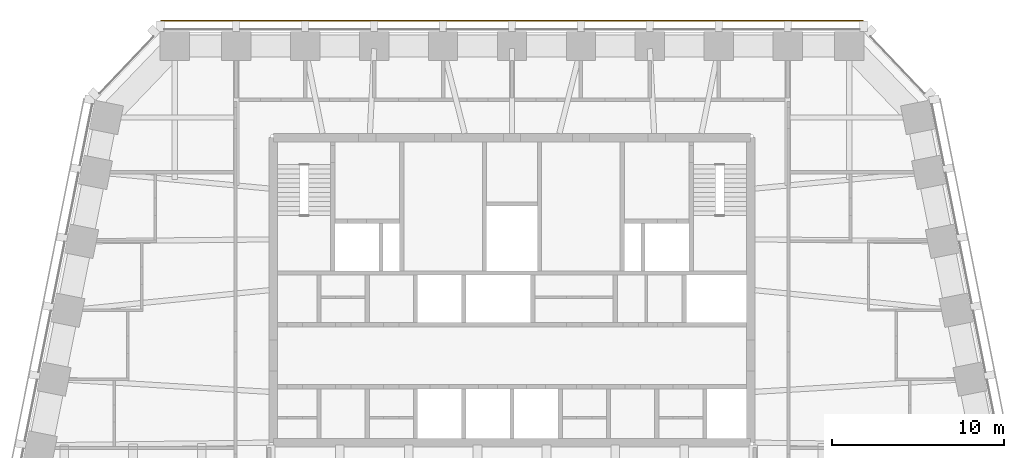
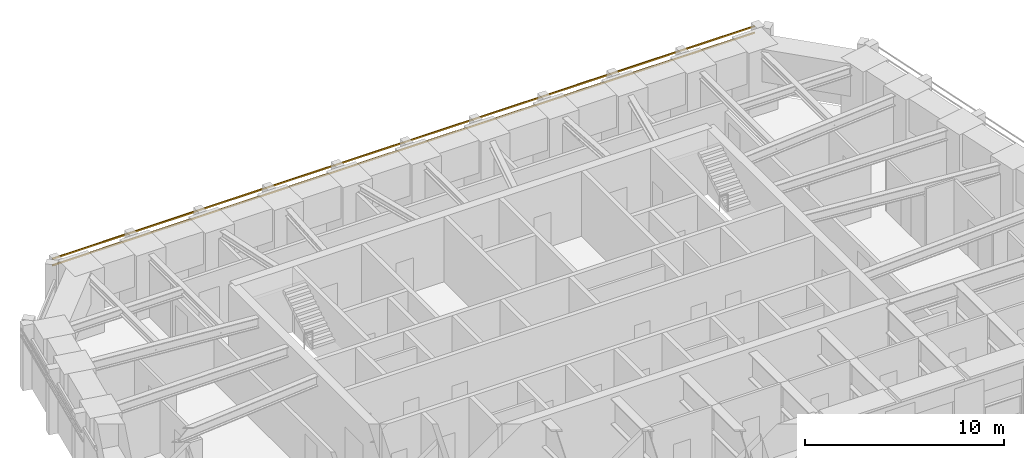
# One storey, part 12 of 12: 2 shading devices.
"""IFC4 building model written with IfcOpenShell, lengths in metres."""

from ifc_helpers import new_model, si_unit, direction, frame, origin, origin_2d, place, context, subcontext, project, spatial, rectangle, extrude, material, material_profile, profile_set, type_object, element, save


model = new_model("IFC4")

# Units and contexts
model_context = context("Model", 3, precision=1e-05, world=origin(), true_north=direction((0.0, 1.0)))
body_context = subcontext(model_context, "Body", "Model", "MODEL_VIEW")
ifc_project = project(units=[si_unit("LENGTHUNIT", "METRE"), si_unit("AREAUNIT", "SQUARE_METRE"), si_unit("VOLUMEUNIT", "CUBIC_METRE"), si_unit("PLANEANGLEUNIT", "RADIAN"), si_unit("MASSUNIT", "GRAM", prefix="KILO")], contexts=[model_context])

# Site, building, storey
site_placement = place(None, origin())
site = spatial("IfcSite", under=ifc_project, at=site_placement, CompositionType="ELEMENT")
building_placement = place(site_placement, origin())
building = spatial("IfcBuilding", under=site, at=building_placement, Name="Isbrekke Arena Tower", CompositionType="ELEMENT")
storey_placement = place(building_placement, frame((0.0, 0.0, 304.0)))
storey = spatial("IfcBuildingStorey", under=building, at=storey_placement, Name="L71", CompositionType="ELEMENT", Elevation=304.0)

# Shading devices
ifc_material = material(Name="Terracotta", Category="masonry")
ifc_material_profile = material_profile(ifc_material, rectangle(XDim=0.06005859375, YDim=0.06005859375, at=origin_2d()), Name="BAGUETTE 60X60")
ifc_profile_set = profile_set([ifc_material_profile], Name="Terracotta")
shading_device_type = type_object("IfcShadingDeviceType", Name="BG1 TERRACOTTA BAGUETTE 60 x 60", PredefinedType="USERDEFINED", material=ifc_profile_set)
for number, where, z_axis, x_axis, name in (
    (1, (20.39990234375, 30.655029296875, 3.280029296875), (-1.0, 0.0, 0.0), (0.0, -1.0, 0.0), "BG1 terracotta baguette N1 L71"),
    (2, (20.39990234375, 30.655029296875, 3.679931640625), (-1.0, 0.0, 0.0), (0.0, -1.0, 0.0), "BG1 terracotta baguette N2 L71"),
):
    element("IfcShadingDevice", number, at=place(storey_placement, frame(where, z_axis=z_axis, x_axis=x_axis)), inside=storey, type_object=shading_device_type, Name=name, ObjectType="TERRACOTTA BAGUETTE", PredefinedType="USERDEFINED", context=body_context, shape_type="SweptSolid", body=[
        extrude(rectangle(XDim=0.06005859375, YDim=0.06005859375, at=origin_2d()), origin(), (0.0, 0.0, 1.0), 40.7998046875),
    ])

save(model, "model.ifc")
